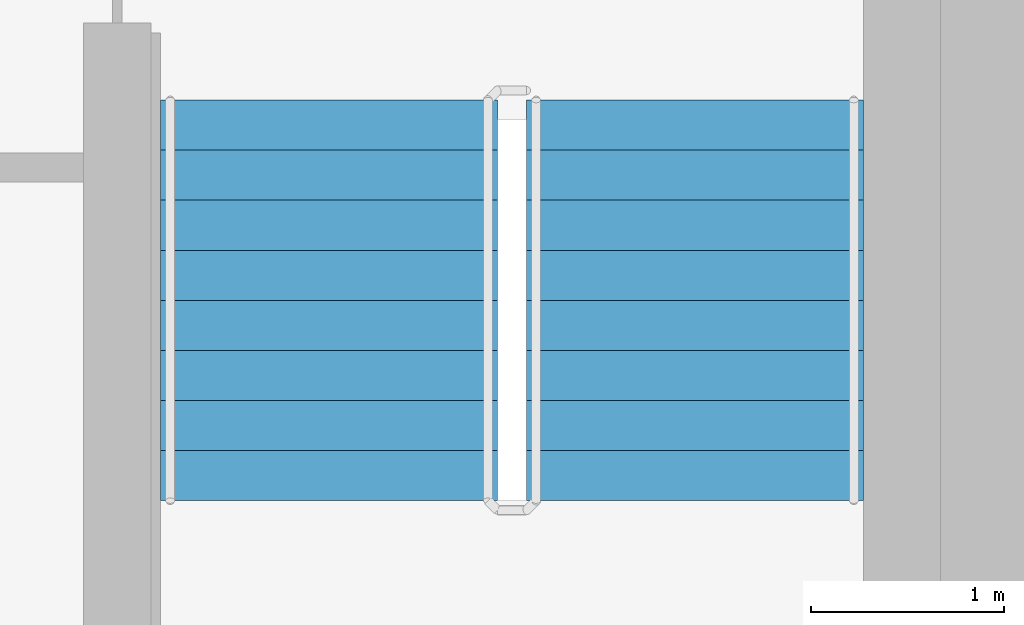
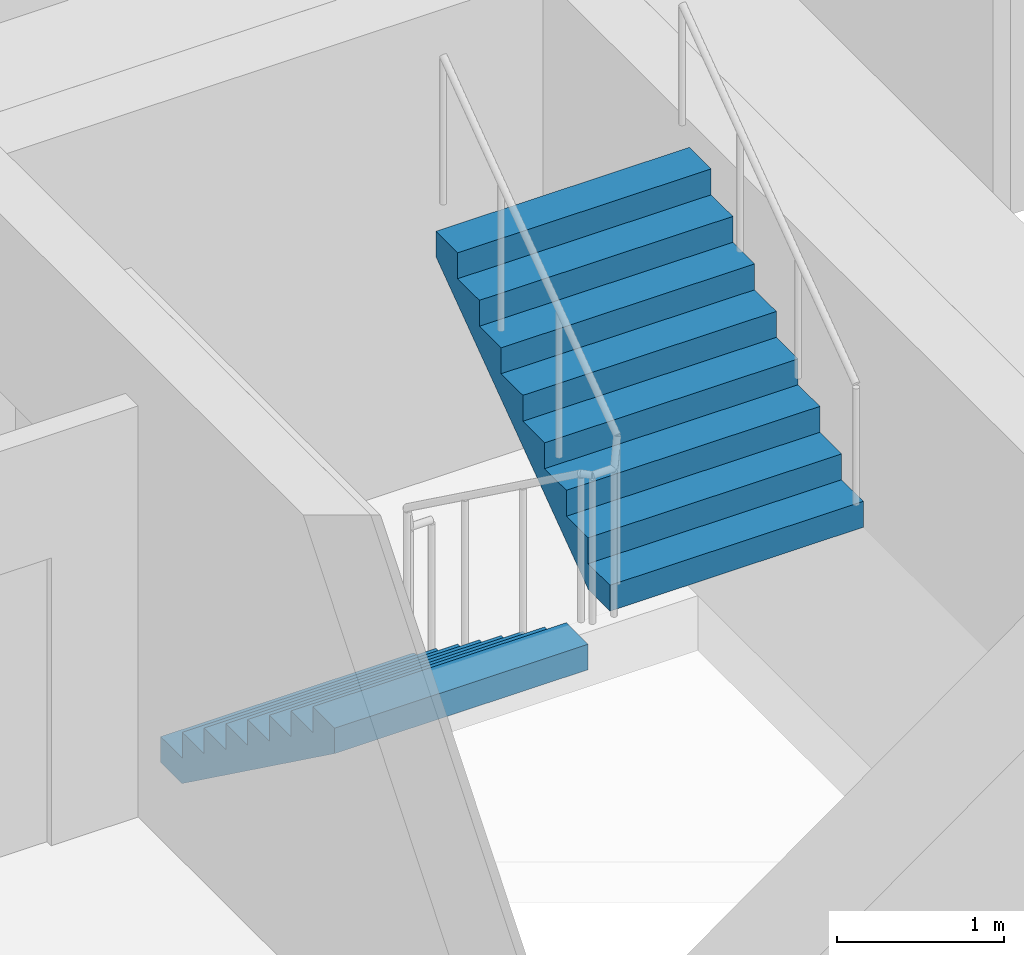
# One storey, part 15 of 19: 2 stair flights, 1 element without a shape of its own.
"""IFC4 building model written with IfcOpenShell, lengths in metres."""

from ifc_helpers import new_model, si_unit, direction, frame, origin, place, context, subcontext, project, spatial, faceted_brep, material, type_object, element, aggregate, save


model = new_model("IFC4")

# Units and contexts
model_context = context("Model", 3, precision=1e-05, world=origin(), true_north=direction((0.0, 1.0)))
body_context = subcontext(model_context, "Body", "Model", "MODEL_VIEW")
ifc_project = project(units=[si_unit("LENGTHUNIT", "METRE"), si_unit("AREAUNIT", "SQUARE_METRE"), si_unit("VOLUMEUNIT", "CUBIC_METRE"), si_unit("PLANEANGLEUNIT", "RADIAN"), si_unit("MASSUNIT", "GRAM", prefix="KILO")], contexts=[model_context])

# Site, building, storey
site_placement = place(None, origin())
site = spatial("IfcSite", under=ifc_project, at=site_placement, CompositionType="ELEMENT")
building_placement = place(site_placement, origin())
building = spatial("IfcBuilding", under=site, at=building_placement, Name="Ipe Terrace Towers", CompositionType="ELEMENT")
storey_placement = place(building_placement, frame((0.0, 0.0, 137.10009765625)))
storey = spatial("IfcBuildingStorey", under=building, at=storey_placement, Name="L37", CompositionType="ELEMENT", Elevation=137.10009765625)

# Stair, stair flights
ifc_material_1 = material(Name="Concrete C30/37", Category="concrete")
stair_type = type_object("IfcStairType", Name="Protected exit stair", PredefinedType="HALF_TURN_STAIR", material=ifc_material_1)
stair_placement = place(storey_placement, origin())
stair = element("IfcStair", 1, at=stair_placement, inside=storey, type_object=stair_type, Name="L37 Exit stair T2-C2", PredefinedType="HALF_TURN_STAIR")
ifc_material_2 = material(Name="Concrete C30/37", Category="concrete")
stair_flight_type = type_object("IfcStairFlightType", Name="Exit stair flight 1750", PredefinedType="STRAIGHT", material=ifc_material_2)
stair_flight_1_placement = place(storey_placement, frame((38.77490234375, -9.699951171875, 0.0), z_axis=(0.0, 0.0, 1.0), x_axis=(0.0, -1.0, 0.0)))
stair_flight_1 = element("IfcStairFlight", 2, at=stair_flight_1_placement, type_object=stair_flight_type, Name="T2-ST2 flight 1", NumberOfRisers=9, NumberOfTreads=8, PredefinedType="STRAIGHT", RiserHeight=0.188888889, TreadLength=0.26, context=body_context, shape_type="Brep", body=[
    faceted_brep([(0.255126953125, -0.875, 0.0), (2.080078125, -0.875, 1.325927734375), (2.080078125, -0.875, 1.51123046875), (1.820068359375, -0.875, 1.51123046875), (1.820068359375, -0.875, 1.322265625), (1.56005859375, -0.875, 1.322265625), (1.56005859375, -0.875, 1.13330078125), (1.300048828125, -0.875, 1.13330078125), (1.300048828125, -0.875, 0.9443359375), (1.0400390625, -0.875, 0.9443359375), (1.0400390625, -0.875, 0.755615234375), (0.780029296875, -0.875, 0.755615234375), (0.780029296875, -0.875, 0.566650390625), (0.52001953125, -0.875, 0.566650390625), (0.52001953125, -0.875, 0.377685546875), (0.260009765625, -0.875, 0.377685546875), (0.260009765625, -0.875, 0.18896484375), (0.0, -0.875, 0.18896484375), (0.0, -0.875, 0.0), (0.0, 0.875, 0.0), (0.0, 0.875, 0.18896484375), (0.260009765625, 0.875, 0.18896484375), (0.260009765625, 0.875, 0.377685546875), (0.52001953125, 0.875, 0.377685546875), (0.52001953125, 0.875, 0.566650390625), (0.780029296875, 0.875, 0.566650390625), (0.780029296875, 0.875, 0.755615234375), (1.0400390625, 0.875, 0.755615234375), (1.0400390625, 0.875, 0.9443359375), (1.300048828125, 0.875, 0.9443359375), (1.300048828125, 0.875, 1.13330078125), (1.56005859375, 0.875, 1.13330078125), (1.56005859375, 0.875, 1.322265625), (1.820068359375, 0.875, 1.322265625), (1.820068359375, 0.875, 1.51123046875), (2.080078125, 0.875, 1.51123046875), (2.080078125, 0.875, 1.325927734375), (0.255126953125, 0.875, 0.0), (0.0, -0.300048828125, 0.18896484375), (0.0, -0.1201171875, 0.18896484375), (0.0, -0.06005859375, 0.18896484375), (0.0, -0.030029296875, 0.18896484375), (0.0, -0.010009765625, 0.18896484375), (0.0, 0.0, 0.18896484375), (0.0, 0.010009765625, 0.18896484375), (0.0, 0.030029296875, 0.18896484375), (0.0, 0.06005859375, 0.18896484375), (0.0, 0.1201171875, 0.18896484375), (0.0, 0.300048828125, 0.18896484375), (0.0, 0.300048828125, 0.0), (0.0, 0.1201171875, 0.0), (0.0, 0.06005859375, 0.0), (0.0, 0.030029296875, 0.0), (0.0, 0.010009765625, 0.0), (0.0, 0.0, 0.0), (0.0, -0.010009765625, 0.0), (0.0, -0.030029296875, 0.0), (0.0, -0.06005859375, 0.0), (0.0, -0.1201171875, 0.0), (0.0, -0.300048828125, 0.0), (0.260009765625, -0.300048828125, 0.18896484375), (0.260009765625, -0.1201171875, 0.18896484375), (0.260009765625, -0.06005859375, 0.18896484375), (0.260009765625, -0.030029296875, 0.18896484375), (0.260009765625, -0.010009765625, 0.18896484375), (0.260009765625, 0.0, 0.18896484375), (0.260009765625, 0.010009765625, 0.18896484375), (0.260009765625, 0.030029296875, 0.18896484375), (0.260009765625, 0.06005859375, 0.18896484375), (0.260009765625, 0.1201171875, 0.18896484375), (0.260009765625, 0.300048828125, 0.18896484375), (0.260009765625, -0.300048828125, 0.377685546875), (0.260009765625, -0.1201171875, 0.377685546875), (0.260009765625, -0.06005859375, 0.377685546875), (0.260009765625, -0.030029296875, 0.377685546875), (0.260009765625, -0.010009765625, 0.377685546875), (0.260009765625, 0.0, 0.377685546875), (0.260009765625, 0.010009765625, 0.377685546875), (0.260009765625, 0.030029296875, 0.377685546875), (0.260009765625, 0.06005859375, 0.377685546875), (0.260009765625, 0.1201171875, 0.377685546875), (0.260009765625, 0.300048828125, 0.377685546875), (0.52001953125, -0.300048828125, 0.377685546875), (0.52001953125, -0.1201171875, 0.377685546875), (0.52001953125, -0.06005859375, 0.377685546875), (0.52001953125, -0.030029296875, 0.377685546875), (0.52001953125, -0.010009765625, 0.377685546875), (0.52001953125, 0.0, 0.377685546875), (0.52001953125, 0.010009765625, 0.377685546875), (0.52001953125, 0.030029296875, 0.377685546875), (0.52001953125, 0.06005859375, 0.377685546875), (0.52001953125, 0.1201171875, 0.377685546875), (0.52001953125, 0.300048828125, 0.377685546875), (0.52001953125, -0.300048828125, 0.566650390625), (0.52001953125, -0.1201171875, 0.566650390625), (0.52001953125, -0.06005859375, 0.566650390625), (0.52001953125, -0.030029296875, 0.566650390625), (0.52001953125, -0.010009765625, 0.566650390625), (0.52001953125, 0.0, 0.566650390625), (0.52001953125, 0.010009765625, 0.566650390625), (0.52001953125, 0.030029296875, 0.566650390625), (0.52001953125, 0.06005859375, 0.566650390625), (0.52001953125, 0.1201171875, 0.566650390625), (0.52001953125, 0.300048828125, 0.566650390625), (0.780029296875, -0.300048828125, 0.566650390625), (0.780029296875, -0.1201171875, 0.566650390625), (0.780029296875, -0.06005859375, 0.566650390625), (0.780029296875, -0.030029296875, 0.566650390625), (0.780029296875, -0.010009765625, 0.566650390625), (0.780029296875, 0.0, 0.566650390625), (0.780029296875, 0.010009765625, 0.566650390625), (0.780029296875, 0.030029296875, 0.566650390625), (0.780029296875, 0.06005859375, 0.566650390625), (0.780029296875, 0.1201171875, 0.566650390625), (0.780029296875, 0.300048828125, 0.566650390625), (0.780029296875, -0.300048828125, 0.755615234375), (0.780029296875, -0.1201171875, 0.755615234375), (0.780029296875, -0.06005859375, 0.755615234375), (0.780029296875, -0.030029296875, 0.755615234375), (0.780029296875, -0.010009765625, 0.755615234375), (0.780029296875, 0.0, 0.755615234375), (0.780029296875, 0.010009765625, 0.755615234375), (0.780029296875, 0.030029296875, 0.755615234375), (0.780029296875, 0.06005859375, 0.755615234375), (0.780029296875, 0.1201171875, 0.755615234375), (0.780029296875, 0.300048828125, 0.755615234375), (1.0400390625, -0.300048828125, 0.755615234375), (1.0400390625, -0.1201171875, 0.755615234375), (1.0400390625, -0.06005859375, 0.755615234375), (1.0400390625, -0.030029296875, 0.755615234375), (1.0400390625, -0.010009765625, 0.755615234375), (1.0400390625, 0.0, 0.755615234375), (1.0400390625, 0.010009765625, 0.755615234375), (1.0400390625, 0.030029296875, 0.755615234375), (1.0400390625, 0.06005859375, 0.755615234375), (1.0400390625, 0.1201171875, 0.755615234375), (1.0400390625, 0.300048828125, 0.755615234375), (1.0400390625, -0.300048828125, 0.9443359375), (1.0400390625, -0.1201171875, 0.9443359375), (1.0400390625, -0.06005859375, 0.9443359375), (1.0400390625, -0.030029296875, 0.9443359375), (1.0400390625, -0.010009765625, 0.9443359375), (1.0400390625, 0.0, 0.9443359375), (1.0400390625, 0.010009765625, 0.9443359375), (1.0400390625, 0.030029296875, 0.9443359375), (1.0400390625, 0.06005859375, 0.9443359375), (1.0400390625, 0.1201171875, 0.9443359375), (1.0400390625, 0.300048828125, 0.9443359375), (1.300048828125, -0.300048828125, 0.9443359375), (1.300048828125, -0.1201171875, 0.9443359375), (1.300048828125, -0.06005859375, 0.9443359375), (1.300048828125, -0.030029296875, 0.9443359375), (1.300048828125, -0.010009765625, 0.9443359375), (1.300048828125, 0.0, 0.9443359375), (1.300048828125, 0.010009765625, 0.9443359375), (1.300048828125, 0.030029296875, 0.9443359375), (1.300048828125, 0.06005859375, 0.9443359375), (1.300048828125, 0.1201171875, 0.9443359375), (1.300048828125, 0.300048828125, 0.9443359375), (1.300048828125, -0.300048828125, 1.13330078125), (1.300048828125, -0.1201171875, 1.13330078125), (1.300048828125, -0.06005859375, 1.13330078125), (1.300048828125, -0.030029296875, 1.13330078125), (1.300048828125, -0.010009765625, 1.13330078125), (1.300048828125, 0.0, 1.13330078125), (1.300048828125, 0.010009765625, 1.13330078125), (1.300048828125, 0.030029296875, 1.13330078125), (1.300048828125, 0.06005859375, 1.13330078125), (1.300048828125, 0.1201171875, 1.13330078125), (1.300048828125, 0.300048828125, 1.13330078125), (1.56005859375, -0.300048828125, 1.13330078125), (1.56005859375, -0.1201171875, 1.13330078125), (1.56005859375, -0.06005859375, 1.13330078125), (1.56005859375, -0.030029296875, 1.13330078125), (1.56005859375, -0.010009765625, 1.13330078125), (1.56005859375, 0.0, 1.13330078125), (1.56005859375, 0.010009765625, 1.13330078125), (1.56005859375, 0.030029296875, 1.13330078125), (1.56005859375, 0.06005859375, 1.13330078125), (1.56005859375, 0.1201171875, 1.13330078125), (1.56005859375, 0.300048828125, 1.13330078125), (1.56005859375, -0.300048828125, 1.322265625), (1.56005859375, -0.1201171875, 1.322265625), (1.56005859375, -0.06005859375, 1.322265625), (1.56005859375, -0.030029296875, 1.322265625), (1.56005859375, -0.010009765625, 1.322265625), (1.56005859375, 0.0, 1.322265625), (1.56005859375, 0.010009765625, 1.322265625), (1.56005859375, 0.030029296875, 1.322265625), (1.56005859375, 0.06005859375, 1.322265625), (1.56005859375, 0.1201171875, 1.322265625), (1.56005859375, 0.300048828125, 1.322265625), (1.820068359375, -0.300048828125, 1.322265625), (1.820068359375, -0.1201171875, 1.322265625), (1.820068359375, -0.06005859375, 1.322265625), (1.820068359375, -0.030029296875, 1.322265625), (1.820068359375, -0.010009765625, 1.322265625), (1.820068359375, 0.0, 1.322265625), (1.820068359375, 0.010009765625, 1.322265625), (1.820068359375, 0.030029296875, 1.322265625), (1.820068359375, 0.06005859375, 1.322265625), (1.820068359375, 0.1201171875, 1.322265625), (1.820068359375, 0.300048828125, 1.322265625), (1.820068359375, -0.300048828125, 1.51123046875), (1.820068359375, -0.1201171875, 1.51123046875), (1.820068359375, -0.06005859375, 1.51123046875), (1.820068359375, -0.030029296875, 1.51123046875), (1.820068359375, -0.010009765625, 1.51123046875), (1.820068359375, 0.0, 1.51123046875), (1.820068359375, 0.010009765625, 1.51123046875), (1.820068359375, 0.030029296875, 1.51123046875), (1.820068359375, 0.06005859375, 1.51123046875), (1.820068359375, 0.1201171875, 1.51123046875), (1.820068359375, 0.300048828125, 1.51123046875), (2.080078125, -0.300048828125, 1.51123046875), (2.080078125, -0.1201171875, 1.51123046875), (2.080078125, -0.06005859375, 1.51123046875), (2.080078125, -0.030029296875, 1.51123046875), (2.080078125, -0.010009765625, 1.51123046875), (2.080078125, 0.0, 1.51123046875), (2.080078125, 0.010009765625, 1.51123046875), (2.080078125, 0.030029296875, 1.51123046875), (2.080078125, 0.06005859375, 1.51123046875), (2.080078125, 0.1201171875, 1.51123046875), (2.080078125, 0.300048828125, 1.51123046875), (2.080078125, -0.300048828125, 1.325927734375), (2.080078125, -0.1201171875, 1.325927734375), (2.080078125, -0.06005859375, 1.325927734375), (2.080078125, -0.030029296875, 1.325927734375), (2.080078125, -0.010009765625, 1.325927734375), (2.080078125, 0.0, 1.325927734375), (2.080078125, 0.010009765625, 1.325927734375), (2.080078125, 0.030029296875, 1.325927734375), (2.080078125, 0.06005859375, 1.325927734375), (2.080078125, 0.1201171875, 1.325927734375), (2.080078125, 0.300048828125, 1.325927734375), (0.255126953125, -0.300048828125, 0.0), (0.255126953125, -0.1201171875, 0.0), (0.255126953125, -0.06005859375, 0.0), (0.255126953125, -0.030029296875, 0.0), (0.255126953125, -0.010009765625, 0.0), (0.255126953125, 0.0, 0.0), (0.255126953125, 0.010009765625, 0.0), (0.255126953125, 0.030029296875, 0.0), (0.255126953125, 0.06005859375, 0.0), (0.255126953125, 0.1201171875, 0.0), (0.255126953125, 0.300048828125, 0.0)], [[[0, 1, 2, 3, 4, 5, 6, 7, 8, 9, 10, 11, 12, 13, 14, 15, 16, 17, 18]], [[19, 20, 21, 22, 23, 24, 25, 26, 27, 28, 29, 30, 31, 32, 33, 34, 35, 36, 37]], [[17, 38, 39, 40, 41, 42, 43, 44, 45, 46, 47, 48, 20, 19, 49, 50, 51, 52, 53, 54, 55, 56, 57, 58, 59, 18]], [[16, 60, 61, 62, 63, 64, 65, 66, 67, 68, 69, 70, 21, 20, 48, 47, 46, 45, 44, 43, 42, 41, 40, 39, 38, 17]], [[15, 71, 72, 73, 74, 75, 76, 77, 78, 79, 80, 81, 22, 21, 70, 69, 68, 67, 66, 65, 64, 63, 62, 61, 60, 16]], [[14, 82, 83, 84, 85, 86, 87, 88, 89, 90, 91, 92, 23, 22, 81, 80, 79, 78, 77, 76, 75, 74, 73, 72, 71, 15]], [[13, 93, 94, 95, 96, 97, 98, 99, 100, 101, 102, 103, 24, 23, 92, 91, 90, 89, 88, 87, 86, 85, 84, 83, 82, 14]], [[12, 104, 105, 106, 107, 108, 109, 110, 111, 112, 113, 114, 25, 24, 103, 102, 101, 100, 99, 98, 97, 96, 95, 94, 93, 13]], [[11, 115, 116, 117, 118, 119, 120, 121, 122, 123, 124, 125, 26, 25, 114, 113, 112, 111, 110, 109, 108, 107, 106, 105, 104, 12]], [[10, 126, 127, 128, 129, 130, 131, 132, 133, 134, 135, 136, 27, 26, 125, 124, 123, 122, 121, 120, 119, 118, 117, 116, 115, 11]], [[9, 137, 138, 139, 140, 141, 142, 143, 144, 145, 146, 147, 28, 27, 136, 135, 134, 133, 132, 131, 130, 129, 128, 127, 126, 10]], [[8, 148, 149, 150, 151, 152, 153, 154, 155, 156, 157, 158, 29, 28, 147, 146, 145, 144, 143, 142, 141, 140, 139, 138, 137, 9]], [[7, 159, 160, 161, 162, 163, 164, 165, 166, 167, 168, 169, 30, 29, 158, 157, 156, 155, 154, 153, 152, 151, 150, 149, 148, 8]], [[6, 170, 171, 172, 173, 174, 175, 176, 177, 178, 179, 180, 31, 30, 169, 168, 167, 166, 165, 164, 163, 162, 161, 160, 159, 7]], [[5, 181, 182, 183, 184, 185, 186, 187, 188, 189, 190, 191, 32, 31, 180, 179, 178, 177, 176, 175, 174, 173, 172, 171, 170, 6]], [[4, 192, 193, 194, 195, 196, 197, 198, 199, 200, 201, 202, 33, 32, 191, 190, 189, 188, 187, 186, 185, 184, 183, 182, 181, 5]], [[3, 203, 204, 205, 206, 207, 208, 209, 210, 211, 212, 213, 34, 33, 202, 201, 200, 199, 198, 197, 196, 195, 194, 193, 192, 4]], [[2, 214, 215, 216, 217, 218, 219, 220, 221, 222, 223, 224, 35, 34, 213, 212, 211, 210, 209, 208, 207, 206, 205, 204, 203, 3]], [[1, 225, 226, 227, 228, 229, 230, 231, 232, 233, 234, 235, 36, 35, 224, 223, 222, 221, 220, 219, 218, 217, 216, 215, 214, 2]], [[0, 236, 237, 238, 239, 240, 241, 242, 243, 244, 245, 246, 37, 36, 235, 234, 233, 232, 231, 230, 229, 228, 227, 226, 225, 1]], [[18, 59, 58, 57, 56, 55, 54, 53, 52, 51, 50, 49, 19, 37, 246, 245, 244, 243, 242, 241, 240, 239, 238, 237, 236, 0]]]),
])
stair_flight_2_placement = place(storey_placement, frame((40.675048828125, -11.780029296875, 1.699951171875), z_axis=(0.0, 0.0, 1.0), x_axis=(0.0, 1.0, 0.0)))
stair_flight_2 = element("IfcStairFlight", 3, at=stair_flight_2_placement, type_object=stair_flight_type, Name="T2-ST2 flight 2", NumberOfRisers=9, NumberOfTreads=8, PredefinedType="STRAIGHT", RiserHeight=0.188888889, TreadLength=0.26, context=body_context, shape_type="Brep", body=[
    faceted_brep([(0.255126953125, -0.875, 0.0), (2.080078125, -0.875, 1.325927734375), (2.080078125, -0.875, 1.51123046875), (1.820068359375, -0.875, 1.51123046875), (1.820068359375, -0.875, 1.322265625), (1.56005859375, -0.875, 1.322265625), (1.56005859375, -0.875, 1.13330078125), (1.300048828125, -0.875, 1.13330078125), (1.300048828125, -0.875, 0.9443359375), (1.0400390625, -0.875, 0.9443359375), (1.0400390625, -0.875, 0.755615234375), (0.780029296875, -0.875, 0.755615234375), (0.780029296875, -0.875, 0.566650390625), (0.52001953125, -0.875, 0.566650390625), (0.52001953125, -0.875, 0.377685546875), (0.260009765625, -0.875, 0.377685546875), (0.260009765625, -0.875, 0.18896484375), (0.0, -0.875, 0.18896484375), (0.0, -0.875, 0.0), (0.0, 0.875, 0.0), (0.0, 0.875, 0.18896484375), (0.260009765625, 0.875, 0.18896484375), (0.260009765625, 0.875, 0.377685546875), (0.52001953125, 0.875, 0.377685546875), (0.52001953125, 0.875, 0.566650390625), (0.780029296875, 0.875, 0.566650390625), (0.780029296875, 0.875, 0.755615234375), (1.0400390625, 0.875, 0.755615234375), (1.0400390625, 0.875, 0.9443359375), (1.300048828125, 0.875, 0.9443359375), (1.300048828125, 0.875, 1.13330078125), (1.56005859375, 0.875, 1.13330078125), (1.56005859375, 0.875, 1.322265625), (1.820068359375, 0.875, 1.322265625), (1.820068359375, 0.875, 1.51123046875), (2.080078125, 0.875, 1.51123046875), (2.080078125, 0.875, 1.325927734375), (0.255126953125, 0.875, 0.0), (0.0, -0.300048828125, 0.18896484375), (0.0, -0.1201171875, 0.18896484375), (0.0, -0.06005859375, 0.18896484375), (0.0, -0.030029296875, 0.18896484375), (0.0, -0.010009765625, 0.18896484375), (0.0, 0.0, 0.18896484375), (0.0, 0.010009765625, 0.18896484375), (0.0, 0.030029296875, 0.18896484375), (0.0, 0.06005859375, 0.18896484375), (0.0, 0.1201171875, 0.18896484375), (0.0, 0.300048828125, 0.18896484375), (0.0, 0.300048828125, 0.0), (0.0, 0.1201171875, 0.0), (0.0, 0.06005859375, 0.0), (0.0, 0.030029296875, 0.0), (0.0, 0.010009765625, 0.0), (0.0, 0.0, 0.0), (0.0, -0.010009765625, 0.0), (0.0, -0.030029296875, 0.0), (0.0, -0.06005859375, 0.0), (0.0, -0.1201171875, 0.0), (0.0, -0.300048828125, 0.0), (0.260009765625, -0.300048828125, 0.18896484375), (0.260009765625, -0.1201171875, 0.18896484375), (0.260009765625, -0.06005859375, 0.18896484375), (0.260009765625, -0.030029296875, 0.18896484375), (0.260009765625, -0.010009765625, 0.18896484375), (0.260009765625, 0.0, 0.18896484375), (0.260009765625, 0.010009765625, 0.18896484375), (0.260009765625, 0.030029296875, 0.18896484375), (0.260009765625, 0.06005859375, 0.18896484375), (0.260009765625, 0.1201171875, 0.18896484375), (0.260009765625, 0.300048828125, 0.18896484375), (0.260009765625, -0.300048828125, 0.377685546875), (0.260009765625, -0.1201171875, 0.377685546875), (0.260009765625, -0.06005859375, 0.377685546875), (0.260009765625, -0.030029296875, 0.377685546875), (0.260009765625, -0.010009765625, 0.377685546875), (0.260009765625, 0.0, 0.377685546875), (0.260009765625, 0.010009765625, 0.377685546875), (0.260009765625, 0.030029296875, 0.377685546875), (0.260009765625, 0.06005859375, 0.377685546875), (0.260009765625, 0.1201171875, 0.377685546875), (0.260009765625, 0.300048828125, 0.377685546875), (0.52001953125, -0.300048828125, 0.377685546875), (0.52001953125, -0.1201171875, 0.377685546875), (0.52001953125, -0.06005859375, 0.377685546875), (0.52001953125, -0.030029296875, 0.377685546875), (0.52001953125, -0.010009765625, 0.377685546875), (0.52001953125, 0.0, 0.377685546875), (0.52001953125, 0.010009765625, 0.377685546875), (0.52001953125, 0.030029296875, 0.377685546875), (0.52001953125, 0.06005859375, 0.377685546875), (0.52001953125, 0.1201171875, 0.377685546875), (0.52001953125, 0.300048828125, 0.377685546875), (0.52001953125, -0.300048828125, 0.566650390625), (0.52001953125, -0.1201171875, 0.566650390625), (0.52001953125, -0.06005859375, 0.566650390625), (0.52001953125, -0.030029296875, 0.566650390625), (0.52001953125, -0.010009765625, 0.566650390625), (0.52001953125, 0.0, 0.566650390625), (0.52001953125, 0.010009765625, 0.566650390625), (0.52001953125, 0.030029296875, 0.566650390625), (0.52001953125, 0.06005859375, 0.566650390625), (0.52001953125, 0.1201171875, 0.566650390625), (0.52001953125, 0.300048828125, 0.566650390625), (0.780029296875, -0.300048828125, 0.566650390625), (0.780029296875, -0.1201171875, 0.566650390625), (0.780029296875, -0.06005859375, 0.566650390625), (0.780029296875, -0.030029296875, 0.566650390625), (0.780029296875, -0.010009765625, 0.566650390625), (0.780029296875, 0.0, 0.566650390625), (0.780029296875, 0.010009765625, 0.566650390625), (0.780029296875, 0.030029296875, 0.566650390625), (0.780029296875, 0.06005859375, 0.566650390625), (0.780029296875, 0.1201171875, 0.566650390625), (0.780029296875, 0.300048828125, 0.566650390625), (0.780029296875, -0.300048828125, 0.755615234375), (0.780029296875, -0.1201171875, 0.755615234375), (0.780029296875, -0.06005859375, 0.755615234375), (0.780029296875, -0.030029296875, 0.755615234375), (0.780029296875, -0.010009765625, 0.755615234375), (0.780029296875, 0.0, 0.755615234375), (0.780029296875, 0.010009765625, 0.755615234375), (0.780029296875, 0.030029296875, 0.755615234375), (0.780029296875, 0.06005859375, 0.755615234375), (0.780029296875, 0.1201171875, 0.755615234375), (0.780029296875, 0.300048828125, 0.755615234375), (1.0400390625, -0.300048828125, 0.755615234375), (1.0400390625, -0.1201171875, 0.755615234375), (1.0400390625, -0.06005859375, 0.755615234375), (1.0400390625, -0.030029296875, 0.755615234375), (1.0400390625, -0.010009765625, 0.755615234375), (1.0400390625, 0.0, 0.755615234375), (1.0400390625, 0.010009765625, 0.755615234375), (1.0400390625, 0.030029296875, 0.755615234375), (1.0400390625, 0.06005859375, 0.755615234375), (1.0400390625, 0.1201171875, 0.755615234375), (1.0400390625, 0.300048828125, 0.755615234375), (1.0400390625, -0.300048828125, 0.9443359375), (1.0400390625, -0.1201171875, 0.9443359375), (1.0400390625, -0.06005859375, 0.9443359375), (1.0400390625, -0.030029296875, 0.9443359375), (1.0400390625, -0.010009765625, 0.9443359375), (1.0400390625, 0.0, 0.9443359375), (1.0400390625, 0.010009765625, 0.9443359375), (1.0400390625, 0.030029296875, 0.9443359375), (1.0400390625, 0.06005859375, 0.9443359375), (1.0400390625, 0.1201171875, 0.9443359375), (1.0400390625, 0.300048828125, 0.9443359375), (1.300048828125, -0.300048828125, 0.9443359375), (1.300048828125, -0.1201171875, 0.9443359375), (1.300048828125, -0.06005859375, 0.9443359375), (1.300048828125, -0.030029296875, 0.9443359375), (1.300048828125, -0.010009765625, 0.9443359375), (1.300048828125, 0.0, 0.9443359375), (1.300048828125, 0.010009765625, 0.9443359375), (1.300048828125, 0.030029296875, 0.9443359375), (1.300048828125, 0.06005859375, 0.9443359375), (1.300048828125, 0.1201171875, 0.9443359375), (1.300048828125, 0.300048828125, 0.9443359375), (1.300048828125, -0.300048828125, 1.13330078125), (1.300048828125, -0.1201171875, 1.13330078125), (1.300048828125, -0.06005859375, 1.13330078125), (1.300048828125, -0.030029296875, 1.13330078125), (1.300048828125, -0.010009765625, 1.13330078125), (1.300048828125, 0.0, 1.13330078125), (1.300048828125, 0.010009765625, 1.13330078125), (1.300048828125, 0.030029296875, 1.13330078125), (1.300048828125, 0.06005859375, 1.13330078125), (1.300048828125, 0.1201171875, 1.13330078125), (1.300048828125, 0.300048828125, 1.13330078125), (1.56005859375, -0.300048828125, 1.13330078125), (1.56005859375, -0.1201171875, 1.13330078125), (1.56005859375, -0.06005859375, 1.13330078125), (1.56005859375, -0.030029296875, 1.13330078125), (1.56005859375, -0.010009765625, 1.13330078125), (1.56005859375, 0.0, 1.13330078125), (1.56005859375, 0.010009765625, 1.13330078125), (1.56005859375, 0.030029296875, 1.13330078125), (1.56005859375, 0.06005859375, 1.13330078125), (1.56005859375, 0.1201171875, 1.13330078125), (1.56005859375, 0.300048828125, 1.13330078125), (1.56005859375, -0.300048828125, 1.322265625), (1.56005859375, -0.1201171875, 1.322265625), (1.56005859375, -0.06005859375, 1.322265625), (1.56005859375, -0.030029296875, 1.322265625), (1.56005859375, -0.010009765625, 1.322265625), (1.56005859375, 0.0, 1.322265625), (1.56005859375, 0.010009765625, 1.322265625), (1.56005859375, 0.030029296875, 1.322265625), (1.56005859375, 0.06005859375, 1.322265625), (1.56005859375, 0.1201171875, 1.322265625), (1.56005859375, 0.300048828125, 1.322265625), (1.820068359375, -0.300048828125, 1.322265625), (1.820068359375, -0.1201171875, 1.322265625), (1.820068359375, -0.06005859375, 1.322265625), (1.820068359375, -0.030029296875, 1.322265625), (1.820068359375, -0.010009765625, 1.322265625), (1.820068359375, 0.0, 1.322265625), (1.820068359375, 0.010009765625, 1.322265625), (1.820068359375, 0.030029296875, 1.322265625), (1.820068359375, 0.06005859375, 1.322265625), (1.820068359375, 0.1201171875, 1.322265625), (1.820068359375, 0.300048828125, 1.322265625), (1.820068359375, -0.300048828125, 1.51123046875), (1.820068359375, -0.1201171875, 1.51123046875), (1.820068359375, -0.06005859375, 1.51123046875), (1.820068359375, -0.030029296875, 1.51123046875), (1.820068359375, -0.010009765625, 1.51123046875), (1.820068359375, 0.0, 1.51123046875), (1.820068359375, 0.010009765625, 1.51123046875), (1.820068359375, 0.030029296875, 1.51123046875), (1.820068359375, 0.06005859375, 1.51123046875), (1.820068359375, 0.1201171875, 1.51123046875), (1.820068359375, 0.300048828125, 1.51123046875), (2.080078125, -0.300048828125, 1.51123046875), (2.080078125, -0.1201171875, 1.51123046875), (2.080078125, -0.06005859375, 1.51123046875), (2.080078125, -0.030029296875, 1.51123046875), (2.080078125, -0.010009765625, 1.51123046875), (2.080078125, 0.0, 1.51123046875), (2.080078125, 0.010009765625, 1.51123046875), (2.080078125, 0.030029296875, 1.51123046875), (2.080078125, 0.06005859375, 1.51123046875), (2.080078125, 0.1201171875, 1.51123046875), (2.080078125, 0.300048828125, 1.51123046875), (2.080078125, -0.300048828125, 1.325927734375), (2.080078125, -0.1201171875, 1.325927734375), (2.080078125, -0.06005859375, 1.325927734375), (2.080078125, -0.030029296875, 1.325927734375), (2.080078125, -0.010009765625, 1.325927734375), (2.080078125, 0.0, 1.325927734375), (2.080078125, 0.010009765625, 1.325927734375), (2.080078125, 0.030029296875, 1.325927734375), (2.080078125, 0.06005859375, 1.325927734375), (2.080078125, 0.1201171875, 1.325927734375), (2.080078125, 0.300048828125, 1.325927734375), (0.255126953125, -0.300048828125, 0.0), (0.255126953125, -0.1201171875, 0.0), (0.255126953125, -0.06005859375, 0.0), (0.255126953125, -0.030029296875, 0.0), (0.255126953125, -0.010009765625, 0.0), (0.255126953125, 0.0, 0.0), (0.255126953125, 0.010009765625, 0.0), (0.255126953125, 0.030029296875, 0.0), (0.255126953125, 0.06005859375, 0.0), (0.255126953125, 0.1201171875, 0.0), (0.255126953125, 0.300048828125, 0.0)], [[[0, 1, 2, 3, 4, 5, 6, 7, 8, 9, 10, 11, 12, 13, 14, 15, 16, 17, 18]], [[19, 20, 21, 22, 23, 24, 25, 26, 27, 28, 29, 30, 31, 32, 33, 34, 35, 36, 37]], [[17, 38, 39, 40, 41, 42, 43, 44, 45, 46, 47, 48, 20, 19, 49, 50, 51, 52, 53, 54, 55, 56, 57, 58, 59, 18]], [[16, 60, 61, 62, 63, 64, 65, 66, 67, 68, 69, 70, 21, 20, 48, 47, 46, 45, 44, 43, 42, 41, 40, 39, 38, 17]], [[15, 71, 72, 73, 74, 75, 76, 77, 78, 79, 80, 81, 22, 21, 70, 69, 68, 67, 66, 65, 64, 63, 62, 61, 60, 16]], [[14, 82, 83, 84, 85, 86, 87, 88, 89, 90, 91, 92, 23, 22, 81, 80, 79, 78, 77, 76, 75, 74, 73, 72, 71, 15]], [[13, 93, 94, 95, 96, 97, 98, 99, 100, 101, 102, 103, 24, 23, 92, 91, 90, 89, 88, 87, 86, 85, 84, 83, 82, 14]], [[12, 104, 105, 106, 107, 108, 109, 110, 111, 112, 113, 114, 25, 24, 103, 102, 101, 100, 99, 98, 97, 96, 95, 94, 93, 13]], [[11, 115, 116, 117, 118, 119, 120, 121, 122, 123, 124, 125, 26, 25, 114, 113, 112, 111, 110, 109, 108, 107, 106, 105, 104, 12]], [[10, 126, 127, 128, 129, 130, 131, 132, 133, 134, 135, 136, 27, 26, 125, 124, 123, 122, 121, 120, 119, 118, 117, 116, 115, 11]], [[9, 137, 138, 139, 140, 141, 142, 143, 144, 145, 146, 147, 28, 27, 136, 135, 134, 133, 132, 131, 130, 129, 128, 127, 126, 10]], [[8, 148, 149, 150, 151, 152, 153, 154, 155, 156, 157, 158, 29, 28, 147, 146, 145, 144, 143, 142, 141, 140, 139, 138, 137, 9]], [[7, 159, 160, 161, 162, 163, 164, 165, 166, 167, 168, 169, 30, 29, 158, 157, 156, 155, 154, 153, 152, 151, 150, 149, 148, 8]], [[6, 170, 171, 172, 173, 174, 175, 176, 177, 178, 179, 180, 31, 30, 169, 168, 167, 166, 165, 164, 163, 162, 161, 160, 159, 7]], [[5, 181, 182, 183, 184, 185, 186, 187, 188, 189, 190, 191, 32, 31, 180, 179, 178, 177, 176, 175, 174, 173, 172, 171, 170, 6]], [[4, 192, 193, 194, 195, 196, 197, 198, 199, 200, 201, 202, 33, 32, 191, 190, 189, 188, 187, 186, 185, 184, 183, 182, 181, 5]], [[3, 203, 204, 205, 206, 207, 208, 209, 210, 211, 212, 213, 34, 33, 202, 201, 200, 199, 198, 197, 196, 195, 194, 193, 192, 4]], [[2, 214, 215, 216, 217, 218, 219, 220, 221, 222, 223, 224, 35, 34, 213, 212, 211, 210, 209, 208, 207, 206, 205, 204, 203, 3]], [[1, 225, 226, 227, 228, 229, 230, 231, 232, 233, 234, 235, 36, 35, 224, 223, 222, 221, 220, 219, 218, 217, 216, 215, 214, 2]], [[0, 236, 237, 238, 239, 240, 241, 242, 243, 244, 245, 246, 37, 36, 235, 234, 233, 232, 231, 230, 229, 228, 227, 226, 225, 1]], [[18, 59, 58, 57, 56, 55, 54, 53, 52, 51, 50, 49, 19, 37, 246, 245, 244, 243, 242, 241, 240, 239, 238, 237, 236, 0]]]),
])
aggregate(stair, [stair_flight_1, stair_flight_2])

save(model, "model.ifc")
